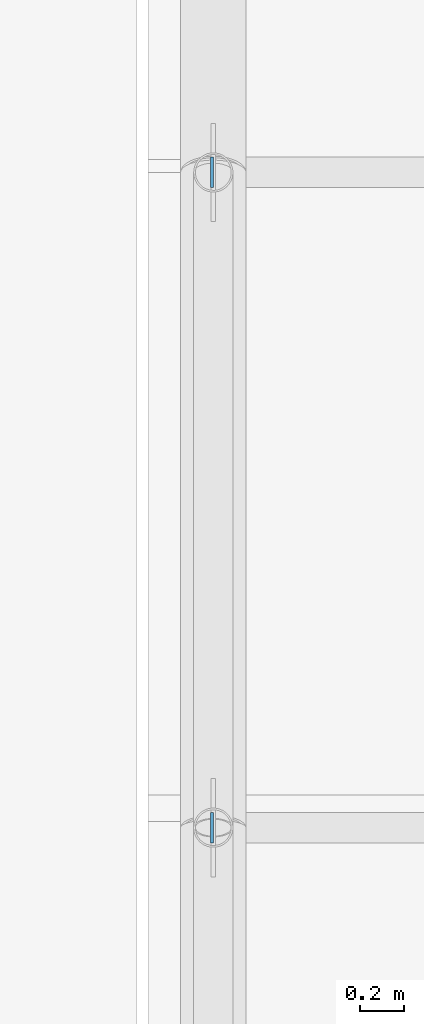
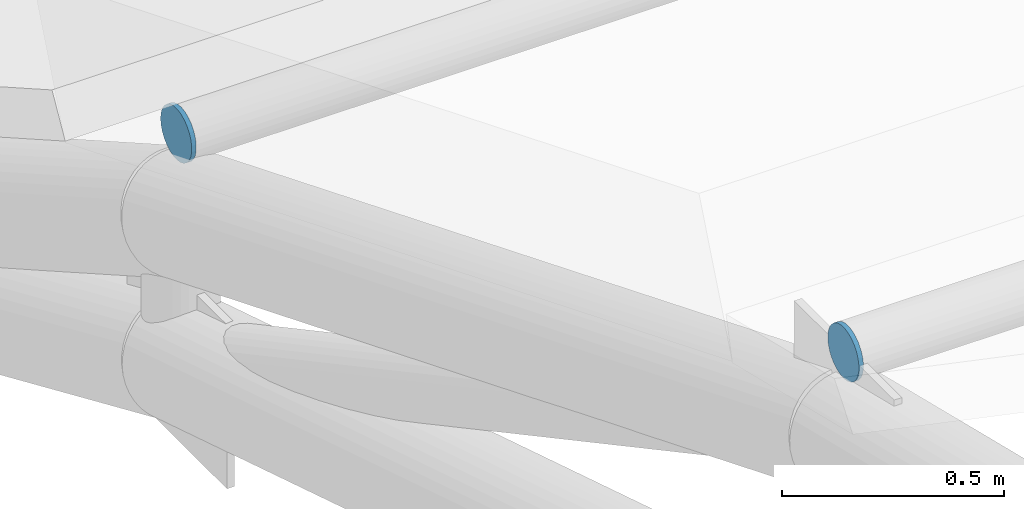
# One storey, part 105 of 163: 2 plates.
"""IFC4 building model written with IfcOpenShell, lengths in metres."""

from ifc_helpers import new_model, si_unit, direction, frame, origin, origin_2d, place, context, subcontext, project, spatial, circle, extrude, material, material_profile, profile_set, type_object, element, save


model = new_model("IFC4")

# Units and contexts
model_context = context("Model", 3, precision=1e-05, world=origin(), true_north=direction((0.0, 1.0)))
body_context = subcontext(model_context, "Body", "Model", "MODEL_VIEW")
ifc_project = project(units=[si_unit("LENGTHUNIT", "METRE"), si_unit("AREAUNIT", "SQUARE_METRE"), si_unit("VOLUMEUNIT", "CUBIC_METRE"), si_unit("PLANEANGLEUNIT", "RADIAN"), si_unit("MASSUNIT", "GRAM", prefix="KILO")], contexts=[model_context])

# Site, building, storey
site_placement = place(None, origin())
site = spatial("IfcSite", under=ifc_project, at=site_placement, CompositionType="ELEMENT")
building_placement = place(site_placement, origin())
building = spatial("IfcBuilding", under=site, at=building_placement, Name="Rain Tree Exposition and Congress Centre", CompositionType="ELEMENT")
storey_placement = place(building_placement, frame((0.0, 0.0, 10.5)))
storey = spatial("IfcBuildingStorey", under=building, at=storey_placement, Name="L02", CompositionType="ELEMENT", Elevation=10.5)

# Plates
ifc_material = material(Name="Steel S355J2", Category="steel")
ifc_material_profile = material_profile(ifc_material, circle(Radius=0.070068359375, at=origin_2d()), Name="CIRCLE 140")
ifc_profile_set = profile_set([ifc_material_profile], Name="Steel S355J2")
plate_type = type_object("IfcPlateType", Name="Purlin end plate 12 CHS 140", PredefinedType="SHEET", material=ifc_profile_set)
for number, where, z_axis, x_axis, name in (
    (1, (-0.011962890625, 93.60009765625, 3.27490234375), (1.0, 0.0, 0.0), (0.0, 1.0, 0.0), "End plate purlin 7.1"),
    (2, (-0.011962890625, 96.60009765625, 2.056396484375), (1.0, 0.0, 0.0), (0.0, 1.0, 0.0), "End plate purlin 8.1"),
):
    element("IfcPlate", number, at=place(storey_placement, frame(where, z_axis=z_axis, x_axis=x_axis)), inside=storey, type_object=plate_type, Name=name, PredefinedType="SHEET", context=body_context, shape_type="SweptSolid", body=[
        extrude(circle(Radius=0.070068359375, at=origin_2d()), origin(), (0.0, 0.0, 1.0), 0.011962890625),
    ])

save(model, "model.ifc")
